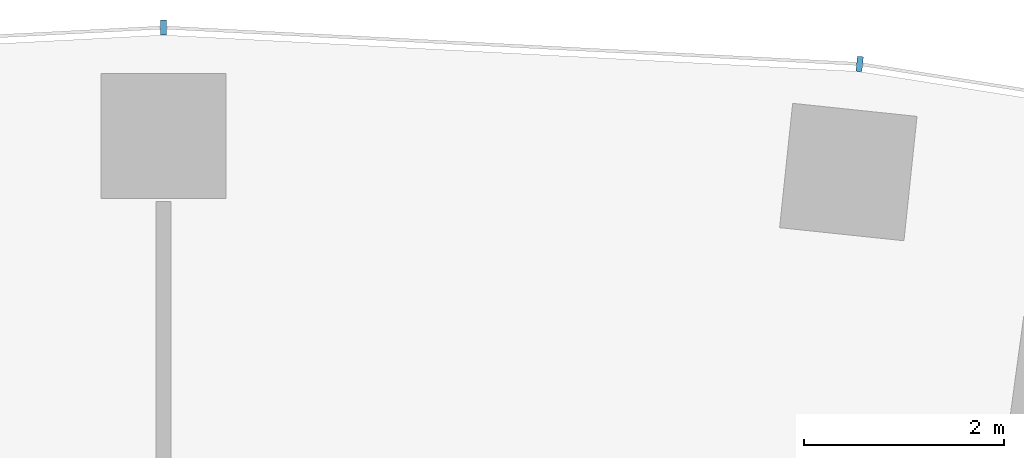
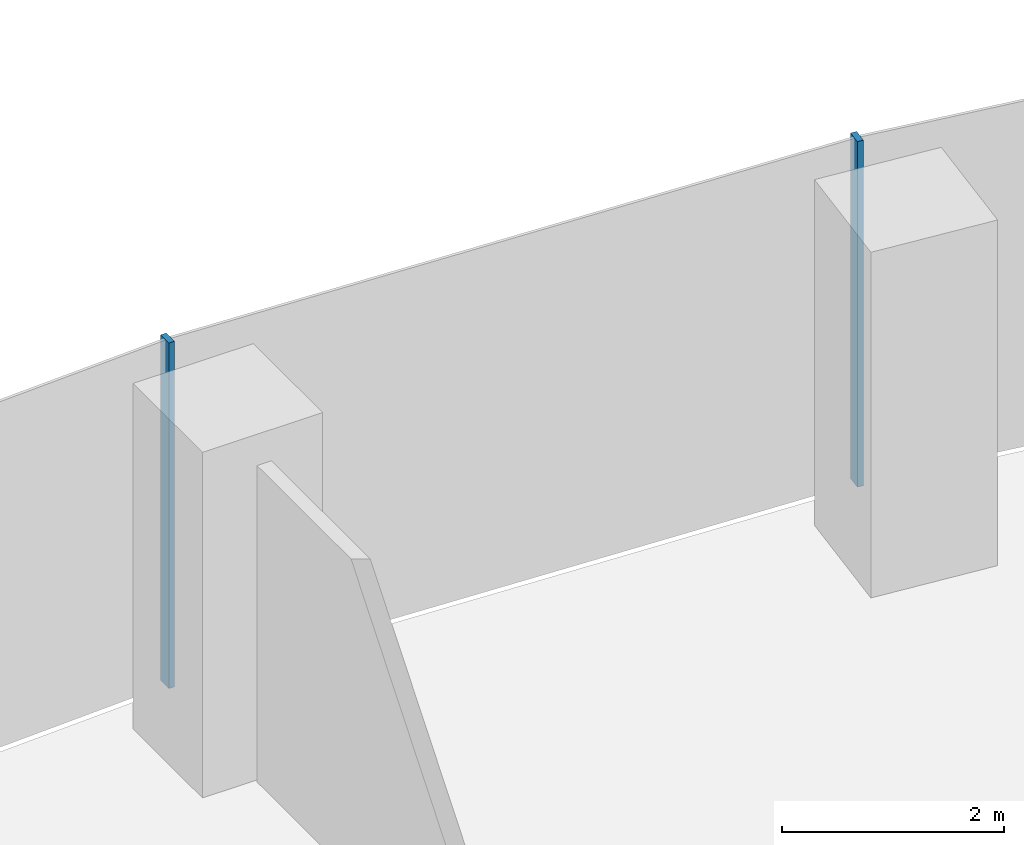
# One storey, part 7 of 21: 2 members, 1 element without a shape of its own.
"""IFC4 building model written with IfcOpenShell, lengths in metres."""

import ifcopenshell
import ifcopenshell.guid

model = None  # the IFC model being written
_history = None  # IfcOwnerHistory: only IFC2X3 demands one
_inside = {}  # id of a spatial element -> (the spatial element, [elements in it])
_under = {}  # id of a project, library or spatial element -> (it, [spatial elements below it])
_declared = {}  # id of a project -> (the project, [libraries it declares])
_typed = {}  # id of a type object -> (the type object, [elements of that type])
_made_of = {}  # id of a material, layer set ... -> (it, [elements and type objects made of it])


def new_model(schema):
    """Start an empty IFC model of exactly this schema.

    Asked for "IFC4X3", IfcOpenShell would pick the latest addendum, in which some entities
    have other attributes; the version numbers below select the first issue.
    IFC2X3 requires an IfcOwnerHistory on every rooted entity: one is made here for all.
    """
    global model, _history
    if schema == "IFC4X3":
        model = ifcopenshell.file(schema_version=(4, 3, 0, 0))
    else:
        model = ifcopenshell.file(schema=schema)
    _inside.clear()
    _under.clear()
    _declared.clear()
    _typed.clear()
    _made_of.clear()
    _history = None
    if model.schema == "IFC2X3":
        org = make("IfcOrganization", Name="unknown")
        user = make(
            "IfcPersonAndOrganization",
            ThePerson=make("IfcPerson", FamilyName="unknown"),
            TheOrganization=org,
        )
        app = make(
            "IfcApplication",
            ApplicationDeveloper=org,
            Version="unknown",
            ApplicationFullName="unknown",
            ApplicationIdentifier="unknown",
        )
        _history = make(
            "IfcOwnerHistory",
            OwningUser=user,
            OwningApplication=app,
            ChangeAction="ADDED",
            CreationDate=0,
        )
    return model


def make(cls, **values):
    """One entity of the class cls with the attributes given. An attribute that is None is left unset."""
    return model.create_entity(
        cls, **{name: value for name, value in values.items() if value is not None}
    )


def rooted(cls, **values):
    """An entity with a GlobalId (a new one), such as an element, a storey or a relation."""
    return make(cls, GlobalId=ifcopenshell.guid.new(), OwnerHistory=_history, **values)


def si_unit(unit_type, name, prefix=None):
    """IfcSIUnit, for example si_unit("LENGTHUNIT", "METRE", prefix="MILLI")."""
    return make("IfcSIUnit", UnitType=unit_type, Prefix=prefix, Name=name)


def assignment(units):
    """IfcUnitAssignment: the units of a project."""
    return None if units is None else make("IfcUnitAssignment", Units=units)


def point(xyz):
    """IfcCartesianPoint."""
    return None if xyz is None else make("IfcCartesianPoint", Coordinates=xyz)


def direction(xyz):
    """IfcDirection."""
    return None if xyz is None else make("IfcDirection", DirectionRatios=xyz)


def frame(location, z_axis=None, x_axis=None):
    """IfcAxis2Placement3D, a coordinate frame: its origin and axes. An axis left out is left unset."""
    return make(
        "IfcAxis2Placement3D",
        Location=point(location),
        Axis=direction(z_axis),
        RefDirection=direction(x_axis),
    )


def frame_2d(location, x_axis=None):
    """IfcAxis2Placement2D, a coordinate frame in the plane: its origin and x axis."""
    return make(
        "IfcAxis2Placement2D", Location=point(location), RefDirection=direction(x_axis)
    )


def origin():
    """The frame at (0, 0, 0) with its axes left unset."""
    return frame((0.0, 0.0, 0.0))


def origin_2d():
    """The frame at (0, 0) in the plane with its x axis left unset."""
    return frame_2d((0.0, 0.0))


def place(relative_to, where):
    """IfcLocalPlacement: puts the frame where relative to a parent placement (None: the world)."""
    return make(
        "IfcLocalPlacement", PlacementRelTo=relative_to, RelativePlacement=where
    )


def context(
    kind, dimensions, precision=None, world=None, true_north=None, identifier=None
):
    """IfcGeometricRepresentationContext, for example the 3D "Model" context."""
    return make(
        "IfcGeometricRepresentationContext",
        ContextIdentifier=identifier,
        ContextType=kind,
        CoordinateSpaceDimension=dimensions,
        Precision=precision,
        WorldCoordinateSystem=world,
        TrueNorth=true_north,
    )


def subcontext(parent, identifier, kind, view, scale=None):
    """IfcGeometricRepresentationSubContext, for example "Body" below "Model"."""
    return make(
        "IfcGeometricRepresentationSubContext",
        ContextIdentifier=identifier,
        ContextType=kind,
        ParentContext=parent,
        TargetScale=scale,
        TargetView=view,
    )


def project(units=None, contexts=None):
    """IfcProject with its units and contexts."""
    return rooted(
        "IfcProject",
        Name="project",
        RepresentationContexts=contexts,
        UnitsInContext=assignment(units),
    )


def spatial(cls, under=None, at=None, **own):
    """A site, building, storey or space (cls), placed at a placement, below another one or the project."""
    s = rooted(cls, ObjectPlacement=at, **own)
    if under is not None:
        _under.setdefault(under.id(), (under, []))[1].append(s)
    return s


def profile(cls, at=None, kind="AREA", **sizes):
    """A parametric profile (cls). Its sizes go by their IFC names, for example OverallWidth=200.0."""
    return make(cls, ProfileType=kind, Position=at, **sizes)


def rectangle(**sizes):
    """IfcRectangleProfileDef."""
    return profile("IfcRectangleProfileDef", **sizes)


def extrude(swept, where, along, depth):
    """IfcExtrudedAreaSolid: the profile swept, set in the frame where, extruded along a direction by depth."""
    return make(
        "IfcExtrudedAreaSolid",
        SweptArea=swept,
        Position=where,
        ExtrudedDirection=direction(along),
        Depth=depth,
    )


def shape(context_of_items, identifier, shape_type, items):
    """IfcShapeRepresentation: the items that make up one representation, for example the "Body"."""
    return make(
        "IfcShapeRepresentation",
        ContextOfItems=context_of_items,
        RepresentationIdentifier=identifier,
        RepresentationType=shape_type,
        Items=items,
    )


def material(Name=None, Category=None):
    """IfcMaterial."""
    return make("IfcMaterial", Name=Name, Category=Category)


def layer(
    of_material, thickness, ventilated=None, Name=None, Category=None, Priority=None
):
    """IfcMaterialLayer: one layer of a wall or slab, of a material (None: an air gap)."""
    return make(
        "IfcMaterialLayer",
        Material=of_material,
        LayerThickness=thickness,
        IsVentilated=ventilated,
        Name=Name,
        Category=Category,
        Priority=Priority,
    )


def layer_set(layers, Name=None):
    """IfcMaterialLayerSet."""
    return make("IfcMaterialLayerSet", MaterialLayers=layers, LayerSetName=Name)


def material_profile(
    of_material, cross_section, Name=None, Category=None, Priority=None
):
    """IfcMaterialProfile: a cross section and its material."""
    return make(
        "IfcMaterialProfile",
        Name=Name,
        Material=of_material,
        Profile=cross_section,
        Priority=Priority,
        Category=Category,
    )


def profile_set(profiles, Name=None, composite=None):
    """IfcMaterialProfileSet."""
    return make(
        "IfcMaterialProfileSet",
        Name=Name,
        MaterialProfiles=profiles,
        CompositeProfile=composite,
    )


def made_of(thing, what):
    """Note that an element or type object is made of a material, layer set ...; save() writes the relation."""
    if what is not None:
        _made_of.setdefault(what.id(), (what, []))[1].append(thing)
    return thing


def type_object(cls, material=None, **own):
    """A type object (cls), such as IfcWallType, which elements share."""
    return made_of(rooted(cls, **own), material)


def element(
    cls,
    number,
    at=None,
    inside=None,
    cuts=None,
    type_object=None,
    material=None,
    context=None,
    identifier="Body",
    shape_type=None,
    held_by="IfcProductDefinitionShape",
    body=None,
    shapes=None,
    **own,
):
    """One element of the class cls, such as IfcWall. Its Tag is "e" and its number.

    at: its placement. inside: the storey or other place that contains it. cuts: it is an
    opening in that element (IfcRelVoidsElement). A single representation is given by context,
    identifier, shape_type and body (its items); several are given by shapes. held_by: the class
    of the entity that holds the representations. save() writes the other relations.
    """
    e = rooted(cls, Tag="e%d" % number, ObjectPlacement=at, **own)
    if body is not None:
        shapes = [shape(context, identifier, shape_type, body)]
    if shapes is not None:
        e.Representation = make(held_by, Representations=shapes)
    if inside is not None:
        _inside.setdefault(inside.id(), (inside, []))[1].append(e)
    if cuts is not None:
        rooted(
            "IfcRelVoidsElement", RelatingBuildingElement=cuts, RelatedOpeningElement=e
        )
    if type_object is not None:
        _typed.setdefault(type_object.id(), (type_object, []))[1].append(e)
    return made_of(e, material)


def aggregate(whole, parts):
    """IfcRelAggregates: a whole, such as a stair, and the parts it consists of."""
    return rooted("IfcRelAggregates", RelatingObject=whole, RelatedObjects=parts)


def save(model, path):
    """Write the relations noted so far, then the file.

    IfcRelAggregates (storeys below a building ...), IfcRelContainedInSpatialStructure (elements
    in a storey), IfcRelDefinesByType, IfcRelAssociatesMaterial and IfcRelDeclares: one each for
    every whole, place, type object, material and project.
    """
    for whole, parts in _under.values():
        aggregate(whole, parts)
    for where, things in _inside.values():
        rooted(
            "IfcRelContainedInSpatialStructure",
            RelatedElements=things,
            RelatingStructure=where,
        )
    for kind, things in _typed.values():
        rooted("IfcRelDefinesByType", RelatedObjects=things, RelatingType=kind)
    for what, things in _made_of.values():
        rooted("IfcRelAssociatesMaterial", RelatedObjects=things, RelatingMaterial=what)
    for by, libraries in _declared.values():
        rooted("IfcRelDeclares", RelatingContext=by, RelatedDefinitions=libraries)
    model.write(path)


model = new_model("IFC4")

# Units and contexts
model_context = context("Model", 3, precision=1e-05, world=origin(), true_north=direction((0.0, 1.0)))
body_context = subcontext(model_context, "Body", "Model", "MODEL_VIEW")
ifc_project = project(units=[si_unit("LENGTHUNIT", "METRE"), si_unit("AREAUNIT", "SQUARE_METRE"), si_unit("VOLUMEUNIT", "CUBIC_METRE"), si_unit("PLANEANGLEUNIT", "RADIAN"), si_unit("MASSUNIT", "GRAM", prefix="KILO")], contexts=[model_context])

# Site, building, storey
site_placement = place(None, origin())
site = spatial("IfcSite", under=ifc_project, at=site_placement, CompositionType="ELEMENT")
building_placement = place(site_placement, origin())
building = spatial("IfcBuilding", under=site, at=building_placement, Name="Stone Belt Terrace Tower", CompositionType="ELEMENT")
storey_placement = place(building_placement, frame((0.0, 0.0, 45.199951171875)))
storey = spatial("IfcBuildingStorey", under=building, at=storey_placement, Name="L10", CompositionType="ELEMENT", Elevation=45.199951171875)

# Curtain wall, members
ifc_material = material(Name="Aluminium 6063-T6 anodised frame", Category="aluminium")
ifc_layer = layer(ifc_material, 0.14990234375)
ifc_layer_set = layer_set([ifc_layer], Name="CW-A unitised convex-face curtain wall")
curtain_wall_type = type_object("IfcCurtainWallType", Name="CW-A unitised convex-face curtain wall", PredefinedType="NOTDEFINED", material=ifc_layer_set)
curtain_wall_placement = place(storey_placement, origin())
curtain_wall = element("IfcCurtainWall", 1, at=curtain_wall_placement, inside=storey, type_object=curtain_wall_type, Name="CW-A convex face L10", PredefinedType="NOTDEFINED")
ifc_material_profile = material_profile(ifc_material, rectangle(XDim=0.14990234375, YDim=0.06005859375, at=origin_2d()), Name="Aluminium 6063-T6 60x150")
ifc_profile_set = profile_set([ifc_material_profile], Name="Aluminium 6063-T6 anodised frame")
member_type = type_object("IfcMemberType", Name="CW-A mullion 60 x 150", PredefinedType="MULLION", material=ifc_profile_set)
member_1_placement = place(storey_placement, frame((6.958984375, 66.21044921875, 0.0), z_axis=(0.0, 0.0, 1.0), x_axis=(-0.104528463268, -0.994521895368, 0.0)))
member_1 = element("IfcMember", 2, at=member_1_placement, type_object=member_type, Name="CW-A mullion 9", PredefinedType="MULLION", context=body_context, shape_type="SweptSolid", body=[
    extrude(rectangle(XDim=0.14990234375, YDim=0.06005859375, at=origin_2d()), origin(), (0.0, 0.0, 1.0), 3.800048828125),
])
member_2_placement = place(storey_placement, frame((0.0, 66.5751953125, 0.0), z_axis=(0.0, 0.0, 1.0), x_axis=(0.0, -1.0, 0.0)))
member_2 = element("IfcMember", 3, at=member_2_placement, type_object=member_type, Name="CW-A mullion 10", PredefinedType="MULLION", context=body_context, shape_type="SweptSolid", body=[
    extrude(rectangle(XDim=0.14990234375, YDim=0.06005859375, at=origin_2d()), origin(), (0.0, 0.0, 1.0), 3.800048828125),
])
aggregate(curtain_wall, [member_1, member_2])

save(model, "model.ifc")
